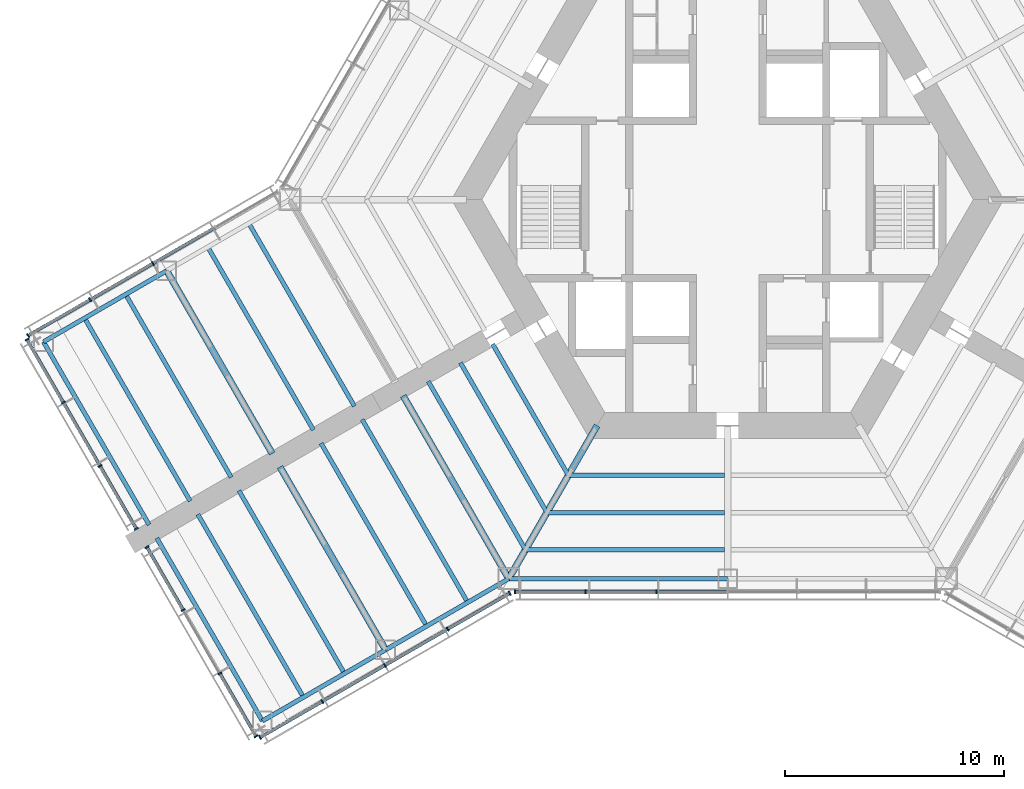
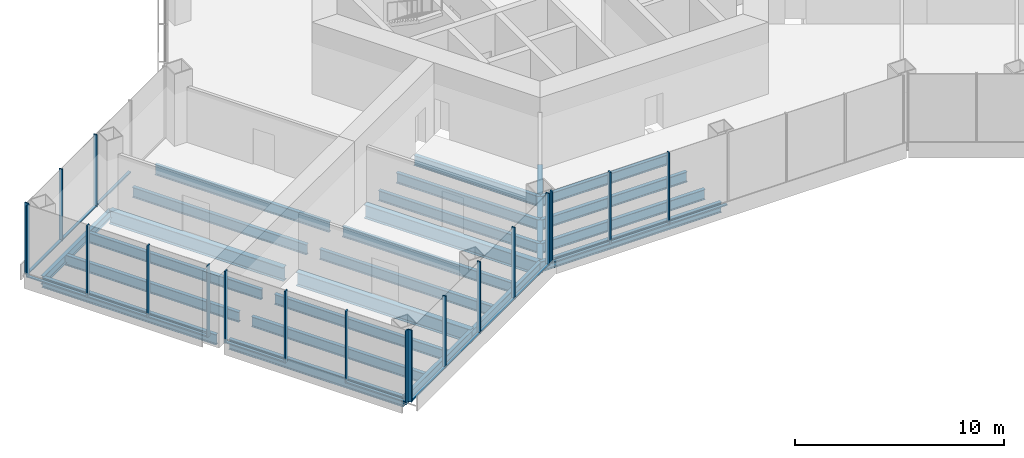
# One storey, part 2 of 15: 34 members, 24 beams, 5 elements without a shape of their own.
"""IFC4 building model written with IfcOpenShell, lengths in metres."""

import ifcopenshell
import ifcopenshell.guid

model = None  # the IFC model being written
_history = None  # IfcOwnerHistory: only IFC2X3 demands one
_inside = {}  # id of a spatial element -> (the spatial element, [elements in it])
_under = {}  # id of a project, library or spatial element -> (it, [spatial elements below it])
_declared = {}  # id of a project -> (the project, [libraries it declares])
_typed = {}  # id of a type object -> (the type object, [elements of that type])
_made_of = {}  # id of a material, layer set ... -> (it, [elements and type objects made of it])


def new_model(schema):
    """Start an empty IFC model of exactly this schema.

    Asked for "IFC4X3", IfcOpenShell would pick the latest addendum, in which some entities
    have other attributes; the version numbers below select the first issue.
    IFC2X3 requires an IfcOwnerHistory on every rooted entity: one is made here for all.
    """
    global model, _history
    if schema == "IFC4X3":
        model = ifcopenshell.file(schema_version=(4, 3, 0, 0))
    else:
        model = ifcopenshell.file(schema=schema)
    _inside.clear()
    _under.clear()
    _declared.clear()
    _typed.clear()
    _made_of.clear()
    _history = None
    if model.schema == "IFC2X3":
        org = make("IfcOrganization", Name="unknown")
        user = make(
            "IfcPersonAndOrganization",
            ThePerson=make("IfcPerson", FamilyName="unknown"),
            TheOrganization=org,
        )
        app = make(
            "IfcApplication",
            ApplicationDeveloper=org,
            Version="unknown",
            ApplicationFullName="unknown",
            ApplicationIdentifier="unknown",
        )
        _history = make(
            "IfcOwnerHistory",
            OwningUser=user,
            OwningApplication=app,
            ChangeAction="ADDED",
            CreationDate=0,
        )
    return model


def make(cls, **values):
    """One entity of the class cls with the attributes given. An attribute that is None is left unset."""
    return model.create_entity(
        cls, **{name: value for name, value in values.items() if value is not None}
    )


def rooted(cls, **values):
    """An entity with a GlobalId (a new one), such as an element, a storey or a relation."""
    return make(cls, GlobalId=ifcopenshell.guid.new(), OwnerHistory=_history, **values)


def si_unit(unit_type, name, prefix=None):
    """IfcSIUnit, for example si_unit("LENGTHUNIT", "METRE", prefix="MILLI")."""
    return make("IfcSIUnit", UnitType=unit_type, Prefix=prefix, Name=name)


def assignment(units):
    """IfcUnitAssignment: the units of a project."""
    return None if units is None else make("IfcUnitAssignment", Units=units)


def point(xyz):
    """IfcCartesianPoint."""
    return None if xyz is None else make("IfcCartesianPoint", Coordinates=xyz)


def direction(xyz):
    """IfcDirection."""
    return None if xyz is None else make("IfcDirection", DirectionRatios=xyz)


def frame(location, z_axis=None, x_axis=None):
    """IfcAxis2Placement3D, a coordinate frame: its origin and axes. An axis left out is left unset."""
    return make(
        "IfcAxis2Placement3D",
        Location=point(location),
        Axis=direction(z_axis),
        RefDirection=direction(x_axis),
    )


def frame_2d(location, x_axis=None):
    """IfcAxis2Placement2D, a coordinate frame in the plane: its origin and x axis."""
    return make(
        "IfcAxis2Placement2D", Location=point(location), RefDirection=direction(x_axis)
    )


def origin():
    """The frame at (0, 0, 0) with its axes left unset."""
    return frame((0.0, 0.0, 0.0))


def origin_2d():
    """The frame at (0, 0) in the plane with its x axis left unset."""
    return frame_2d((0.0, 0.0))


def place(relative_to, where):
    """IfcLocalPlacement: puts the frame where relative to a parent placement (None: the world)."""
    return make(
        "IfcLocalPlacement", PlacementRelTo=relative_to, RelativePlacement=where
    )


def context(
    kind, dimensions, precision=None, world=None, true_north=None, identifier=None
):
    """IfcGeometricRepresentationContext, for example the 3D "Model" context."""
    return make(
        "IfcGeometricRepresentationContext",
        ContextIdentifier=identifier,
        ContextType=kind,
        CoordinateSpaceDimension=dimensions,
        Precision=precision,
        WorldCoordinateSystem=world,
        TrueNorth=true_north,
    )


def subcontext(parent, identifier, kind, view, scale=None):
    """IfcGeometricRepresentationSubContext, for example "Body" below "Model"."""
    return make(
        "IfcGeometricRepresentationSubContext",
        ContextIdentifier=identifier,
        ContextType=kind,
        ParentContext=parent,
        TargetScale=scale,
        TargetView=view,
    )


def project(units=None, contexts=None):
    """IfcProject with its units and contexts."""
    return rooted(
        "IfcProject",
        Name="project",
        RepresentationContexts=contexts,
        UnitsInContext=assignment(units),
    )


def spatial(cls, under=None, at=None, **own):
    """A site, building, storey or space (cls), placed at a placement, below another one or the project."""
    s = rooted(cls, ObjectPlacement=at, **own)
    if under is not None:
        _under.setdefault(under.id(), (under, []))[1].append(s)
    return s


def profile(cls, at=None, kind="AREA", **sizes):
    """A parametric profile (cls). Its sizes go by their IFC names, for example OverallWidth=200.0."""
    return make(cls, ProfileType=kind, Position=at, **sizes)


def rectangle(**sizes):
    """IfcRectangleProfileDef."""
    return profile("IfcRectangleProfileDef", **sizes)


def i_section(**sizes):
    """IfcIShapeProfileDef."""
    return profile("IfcIShapeProfileDef", **sizes)


def extrude(swept, where, along, depth):
    """IfcExtrudedAreaSolid: the profile swept, set in the frame where, extruded along a direction by depth."""
    return make(
        "IfcExtrudedAreaSolid",
        SweptArea=swept,
        Position=where,
        ExtrudedDirection=direction(along),
        Depth=depth,
    )


def shape(context_of_items, identifier, shape_type, items):
    """IfcShapeRepresentation: the items that make up one representation, for example the "Body"."""
    return make(
        "IfcShapeRepresentation",
        ContextOfItems=context_of_items,
        RepresentationIdentifier=identifier,
        RepresentationType=shape_type,
        Items=items,
    )


def material(Name=None, Category=None):
    """IfcMaterial."""
    return make("IfcMaterial", Name=Name, Category=Category)


def material_profile(
    of_material, cross_section, Name=None, Category=None, Priority=None
):
    """IfcMaterialProfile: a cross section and its material."""
    return make(
        "IfcMaterialProfile",
        Name=Name,
        Material=of_material,
        Profile=cross_section,
        Priority=Priority,
        Category=Category,
    )


def profile_set(profiles, Name=None, composite=None):
    """IfcMaterialProfileSet."""
    return make(
        "IfcMaterialProfileSet",
        Name=Name,
        MaterialProfiles=profiles,
        CompositeProfile=composite,
    )


def made_of(thing, what):
    """Note that an element or type object is made of a material, layer set ...; save() writes the relation."""
    if what is not None:
        _made_of.setdefault(what.id(), (what, []))[1].append(thing)
    return thing


def type_object(cls, material=None, **own):
    """A type object (cls), such as IfcWallType, which elements share."""
    return made_of(rooted(cls, **own), material)


def element(
    cls,
    number,
    at=None,
    inside=None,
    cuts=None,
    type_object=None,
    material=None,
    context=None,
    identifier="Body",
    shape_type=None,
    held_by="IfcProductDefinitionShape",
    body=None,
    shapes=None,
    **own,
):
    """One element of the class cls, such as IfcWall. Its Tag is "e" and its number.

    at: its placement. inside: the storey or other place that contains it. cuts: it is an
    opening in that element (IfcRelVoidsElement). A single representation is given by context,
    identifier, shape_type and body (its items); several are given by shapes. held_by: the class
    of the entity that holds the representations. save() writes the other relations.
    """
    e = rooted(cls, Tag="e%d" % number, ObjectPlacement=at, **own)
    if body is not None:
        shapes = [shape(context, identifier, shape_type, body)]
    if shapes is not None:
        e.Representation = make(held_by, Representations=shapes)
    if inside is not None:
        _inside.setdefault(inside.id(), (inside, []))[1].append(e)
    if cuts is not None:
        rooted(
            "IfcRelVoidsElement", RelatingBuildingElement=cuts, RelatedOpeningElement=e
        )
    if type_object is not None:
        _typed.setdefault(type_object.id(), (type_object, []))[1].append(e)
    return made_of(e, material)


def aggregate(whole, parts):
    """IfcRelAggregates: a whole, such as a stair, and the parts it consists of."""
    return rooted("IfcRelAggregates", RelatingObject=whole, RelatedObjects=parts)


def save(model, path):
    """Write the relations noted so far, then the file.

    IfcRelAggregates (storeys below a building ...), IfcRelContainedInSpatialStructure (elements
    in a storey), IfcRelDefinesByType, IfcRelAssociatesMaterial and IfcRelDeclares: one each for
    every whole, place, type object, material and project.
    """
    for whole, parts in _under.values():
        aggregate(whole, parts)
    for where, things in _inside.values():
        rooted(
            "IfcRelContainedInSpatialStructure",
            RelatedElements=things,
            RelatingStructure=where,
        )
    for kind, things in _typed.values():
        rooted("IfcRelDefinesByType", RelatedObjects=things, RelatingType=kind)
    for what, things in _made_of.values():
        rooted("IfcRelAssociatesMaterial", RelatedObjects=things, RelatingMaterial=what)
    for by, libraries in _declared.values():
        rooted("IfcRelDeclares", RelatingContext=by, RelatedDefinitions=libraries)
    model.write(path)


model = new_model("IFC4")

# Units and contexts
model_context = context("Model", 3, precision=1e-05, world=origin(), true_north=direction((0.0, 1.0)))
body_context = subcontext(model_context, "Body", "Model", "MODEL_VIEW")
ifc_project = project(units=[si_unit("LENGTHUNIT", "METRE"), si_unit("AREAUNIT", "SQUARE_METRE"), si_unit("VOLUMEUNIT", "CUBIC_METRE"), si_unit("PLANEANGLEUNIT", "RADIAN"), si_unit("MASSUNIT", "GRAM", prefix="KILO")], contexts=[model_context])

# Site, building, storey
site_placement = place(None, origin())
site = spatial("IfcSite", under=ifc_project, at=site_placement, CompositionType="ELEMENT")
building_placement = place(site_placement, origin())
building = spatial("IfcBuilding", under=site, at=building_placement, Name="Kasaneha Research Tower", CompositionType="ELEMENT")
storey_placement = place(building_placement, frame((0.0, 0.0, 39.39990234375)))
storey = spatial("IfcBuildingStorey", under=building, at=storey_placement, Name="L10", CompositionType="ELEMENT", Elevation=39.39990234375)

# Beams
ifc_material_1 = material(Name="Steel SN490B", Category="steel")
ifc_material_profile_1 = material_profile(ifc_material_1, i_section(OverallWidth=0.199951171875, OverallDepth=0.60009765625, WebThickness=0.010986328125, FlangeThickness=0.01708984375, FilletRadius=0.012939453125, at=origin_2d()), Name="H-600x200x11x17")
ifc_profile_set_1 = profile_set([ifc_material_profile_1], Name="Steel SN490B")
beam_type_1 = type_object("IfcBeamType", Name="B1-2 secondary beam H-600x200x11x17", PredefinedType="JOIST", material=ifc_profile_set_1)
beam_1_placement = place(storey_placement, frame((-7.274658203125, -12.60009765625, -0.469970703125), z_axis=(-0.499972710878, 0.866041158593, 0.0), x_axis=(-0.866041158593, -0.499972710878, 0.0)))
element("IfcBeam", 1, at=beam_1_placement, inside=storey, type_object=beam_type_1, Name="Secondary beam RS210R1 L10", PredefinedType="JOIST", context=body_context, shape_type="SweptSolid", body=[
    extrude(i_section(OverallWidth=0.199951171875, OverallDepth=0.60009765625, WebThickness=0.010986328125, FlangeThickness=0.01708984375, FilletRadius=0.012939453125, at=origin_2d()), origin(), (0.0, 0.0, 1.0), 6.9248046875),
])
beam_2_placement = place(storey_placement, frame((-8.256103515625, -14.300048828125, -0.469970703125), z_axis=(-0.500004902938, 0.866022573054, 0.0), x_axis=(-0.866022573054, -0.500004902938, 0.0)))
element("IfcBeam", 2, at=beam_2_placement, inside=storey, type_object=beam_type_1, Name="Secondary beam RS210R2 L10", PredefinedType="JOIST", context=body_context, shape_type="SweptSolid", body=[
    extrude(i_section(OverallWidth=0.199951171875, OverallDepth=0.60009765625, WebThickness=0.010986328125, FlangeThickness=0.01708984375, FilletRadius=0.012939453125, at=origin_2d()), origin(), (0.0, 0.0, 1.0), 7.90625),
])
beam_3_placement = place(storey_placement, frame((-9.237548828125, -16.0, -0.469970703125), z_axis=(-0.500009382636, 0.866019986649, 0.0), x_axis=(-0.866019986649, -0.500009382636, 0.0)))
element("IfcBeam", 3, at=beam_3_placement, inside=storey, type_object=beam_type_1, Name="Secondary beam RS210R3 L10", PredefinedType="JOIST", context=body_context, shape_type="SweptSolid", body=[
    extrude(i_section(OverallWidth=0.199951171875, OverallDepth=0.60009765625, WebThickness=0.010986328125, FlangeThickness=0.01708984375, FilletRadius=0.012939453125, at=origin_2d()), origin(), (0.0, 0.0, 1.0), 8.887451171875),
])
beam_4_placement = place(storey_placement, frame((-7.274658203125, -12.60009765625, -0.469970703125), z_axis=(1.0, 0.0, 0.0), x_axis=(0.0, 1.0, 0.0)))
element("IfcBeam", 4, at=beam_4_placement, inside=storey, type_object=beam_type_1, Name="Secondary beam RS270L1 L10", PredefinedType="JOIST", context=body_context, shape_type="SweptSolid", body=[
    extrude(i_section(OverallWidth=0.199951171875, OverallDepth=0.60009765625, WebThickness=0.010986328125, FlangeThickness=0.01708984375, FilletRadius=0.012939453125, at=origin_2d()), origin(), (0.0, 0.0, 1.0), 7.124755859375),
])
beam_5_placement = place(storey_placement, frame((-8.256103515625, -14.300048828125, -0.469970703125), z_axis=(1.0, 0.0, 0.0), x_axis=(0.0, 1.0, 0.0)))
element("IfcBeam", 5, at=beam_5_placement, inside=storey, type_object=beam_type_1, Name="Secondary beam RS270L2 L10", PredefinedType="JOIST", context=body_context, shape_type="SweptSolid", body=[
    extrude(i_section(OverallWidth=0.199951171875, OverallDepth=0.60009765625, WebThickness=0.010986328125, FlangeThickness=0.01708984375, FilletRadius=0.012939453125, at=origin_2d()), origin(), (0.0, 0.0, 1.0), 8.106201171875),
])
beam_6_placement = place(storey_placement, frame((-9.237548828125, -16.0, -0.469970703125), z_axis=(1.0, 0.0, 0.0), x_axis=(0.0, 1.0, 0.0)))
element("IfcBeam", 6, at=beam_6_placement, inside=storey, type_object=beam_type_1, Name="Secondary beam RS270L3 L10", PredefinedType="JOIST", context=body_context, shape_type="SweptSolid", body=[
    extrude(i_section(OverallWidth=0.199951171875, OverallDepth=0.60009765625, WebThickness=0.010986328125, FlangeThickness=0.01708984375, FilletRadius=0.012939453125, at=origin_2d()), origin(), (0.0, 0.0, 1.0), 9.087646484375),
])
ifc_material_2 = material(Name="Steel SN490B", Category="steel")
ifc_material_profile_2 = material_profile(ifc_material_2, i_section(OverallWidth=0.198974609375, OverallDepth=0.595947265625, WebThickness=0.010009765625, FlangeThickness=0.014892578125, FilletRadius=0.012939453125, at=origin_2d()), Name="H-596x199x10x15")
ifc_profile_set_2 = profile_set([ifc_material_profile_2], Name="Steel SN490B")
beam_type_2 = type_object("IfcBeamType", Name="B2-2 secondary beam H-596x199x10x15", PredefinedType="JOIST", material=ifc_profile_set_2)
beam_7_placement = place(storey_placement, frame((-21.87646484375, -1.083251953125, -0.468017578125), z_axis=(0.500013717211, -0.866017484004, 0.0), x_axis=(0.866017484004, 0.500013717211, 0.0)))
element("IfcBeam", 7, at=beam_7_placement, inside=storey, type_object=beam_type_2, Name="Secondary beam WBBP1 L10", PredefinedType="JOIST", context=body_context, shape_type="SweptSolid", body=[
    extrude(i_section(OverallWidth=0.198974609375, OverallDepth=0.595947265625, WebThickness=0.010009765625, FlangeThickness=0.014892578125, FilletRadius=0.012939453125, at=origin_2d()), origin(), (0.0, 0.0, 1.0), 9.650146484375),
])
for number, where, z_axis, x_axis, name in (
    (8, (-23.752685546875, -2.166748046875, -0.468017578125), (0.499994742786, -0.866028439017, 0.0), (0.866028439017, 0.499994742786, 0.0), "Secondary beam WBBP2 L10"),
    (9, (-27.505615234375, -4.333251953125, -0.468017578125), (0.499994742786, -0.866028439017, 0.0), (0.866028439017, 0.499994742786, 0.0), "Secondary beam WBBP3 L10"),
    (10, (-29.3818359375, -5.416748046875, -0.468017578125), (0.499994742786, -0.866028439017, 0.0), (0.866028439017, 0.499994742786, 0.0), "Secondary beam WBBP4 L10"),
    (11, (-11.87646484375, -18.40380859375, -0.468017578125), (-0.499994742786, 0.866028439017, 0.0), (-0.866028439017, -0.499994742786, 0.0), "Secondary beam WBBN1 L10"),
    (12, (-13.752685546875, -19.487060546875, -0.468017578125), (-0.500024672494, 0.866011158645, 0.0), (-0.866011158645, -0.500024672494, 0.0), "Secondary beam WBBN2 L10"),
    (13, (-17.505615234375, -21.65380859375, -0.468017578125), (-0.499994742786, 0.866028439017, 0.0), (-0.866028439017, -0.499994742786, 0.0), "Secondary beam WBBN3 L10"),
    (14, (-19.3818359375, -22.737060546875, -0.468017578125), (-0.500024672494, 0.866011158645, 0.0), (-0.866011158645, -0.500024672494, 0.0), "Secondary beam WBBN4 L10"),
):
    element("IfcBeam", number, at=place(storey_placement, frame(where, z_axis=z_axis, x_axis=x_axis)), inside=storey, type_object=beam_type_2, Name=name, PredefinedType="JOIST", context=body_context, shape_type="SweptSolid", body=[
        extrude(i_section(OverallWidth=0.198974609375, OverallDepth=0.595947265625, WebThickness=0.010009765625, FlangeThickness=0.014892578125, FilletRadius=0.012939453125, at=origin_2d()), origin(), (0.0, 0.0, 1.0), 9.64990234375),
    ])

# Curtain wall, members
ifc_material_3 = material(Name="Glass and aluminium", Category="aluminium")
curtain_wall_type = type_object("IfcCurtainWallType", Name="Dry laboratory curtain wall", PredefinedType="USERDEFINED", material=ifc_material_3)
curtain_wall_1_placement = place(storey_placement, origin())
curtain_wall_1 = element("IfcCurtainWall", 15, at=curtain_wall_1_placement, inside=storey, type_object=curtain_wall_type, Name="CW-L2 L10 run 01a", ObjectType="UNITISED CURTAIN WALL", PredefinedType="USERDEFINED")
ifc_material_4 = material(Name="Aluminium 6063-T6", Category="aluminium")
ifc_material_profile_3 = material_profile(ifc_material_4, rectangle(XDim=0.06494140625, YDim=0.199951171875, at=origin_2d()), Name="CW-L2 mullion 65x200")
ifc_profile_set_3 = profile_set([ifc_material_profile_3], Name="Aluminium 6063-T6")
member_type_1 = type_object("IfcMemberType", Name="CW-L2 mullion", PredefinedType="MULLION", material=ifc_profile_set_3)
member_1_placement = place(storey_placement, frame((-21.36328125, -24.573974609375, 0.0), z_axis=(0.0, 0.0, 1.0), x_axis=(0.866025411464, 0.499999986699, 0.0)))
member_1 = element("IfcMember", 16, at=member_1_placement, type_object=member_type_1, Name="CW-L2 mullion 1", PredefinedType="MULLION", context=body_context, shape_type="SweptSolid", body=[
    extrude(rectangle(XDim=0.06494140625, YDim=0.199951171875, at=origin_2d()), origin(), (0.0, 0.0, 1.0), 4.2001953125),
])
member_2_placement = place(storey_placement, frame((-18.52490234375, -22.935302734375, 0.0), z_axis=(0.0, 0.0, 1.0), x_axis=(0.866025411464, 0.499999986699, 0.0)))
member_2 = element("IfcMember", 17, at=member_2_placement, type_object=member_type_1, Name="CW-L2 mullion 2", PredefinedType="MULLION", context=body_context, shape_type="SweptSolid", body=[
    extrude(rectangle(XDim=0.06494140625, YDim=0.199951171875, at=origin_2d()), origin(), (0.0, 0.0, 1.0), 4.2001953125),
])
member_3_placement = place(storey_placement, frame((-15.65869140625, -21.2802734375, 0.0), z_axis=(0.0, 0.0, 1.0), x_axis=(0.866025411464, 0.499999986699, 0.0)))
member_3 = element("IfcMember", 18, at=member_3_placement, type_object=member_type_1, Name="CW-L2 mullion 3", PredefinedType="MULLION", context=body_context, shape_type="SweptSolid", body=[
    extrude(rectangle(XDim=0.06494140625, YDim=0.199951171875, at=origin_2d()), origin(), (0.0, 0.0, 1.0), 4.2001953125),
])
member_4_placement = place(storey_placement, frame((-12.792236328125, -19.62548828125, 0.0), z_axis=(0.0, 0.0, 1.0), x_axis=(0.866025411464, 0.499999986699, 0.0)))
member_4 = element("IfcMember", 19, at=member_4_placement, type_object=member_type_1, Name="CW-L2 mullion 4", PredefinedType="MULLION", context=body_context, shape_type="SweptSolid", body=[
    extrude(rectangle(XDim=0.06494140625, YDim=0.199951171875, at=origin_2d()), origin(), (0.0, 0.0, 1.0), 4.2001953125),
])
member_5_placement = place(storey_placement, frame((-9.953857421875, -17.98681640625, 0.0), z_axis=(0.0, 0.0, 1.0), x_axis=(0.866025411464, 0.499999986699, 0.0)))
member_5 = element("IfcMember", 20, at=member_5_placement, type_object=member_type_1, Name="CW-L2 mullion 5", PredefinedType="MULLION", context=body_context, shape_type="SweptSolid", body=[
    extrude(rectangle(XDim=0.06494140625, YDim=0.199951171875, at=origin_2d()), origin(), (0.0, 0.0, 1.0), 4.2001953125),
])

curtain_wall_2_placement = place(storey_placement, origin())
curtain_wall_2 = element("IfcCurtainWall", 21, at=curtain_wall_2_placement, inside=storey, type_object=curtain_wall_type, Name="CW-L2 L10 run 02a", ObjectType="UNITISED CURTAIN WALL", PredefinedType="USERDEFINED")
member_6_placement = place(storey_placement, frame((-9.706787109375, -17.92041015625, 0.0), z_axis=(0.0, 0.0, 1.0), x_axis=(1.0, 0.0, 0.0)))
member_6 = element("IfcMember", 22, at=member_6_placement, type_object=member_type_1, Name="CW-L2 mullion 1", PredefinedType="MULLION", context=body_context, shape_type="SweptSolid", body=[
    extrude(rectangle(XDim=0.06494140625, YDim=0.199951171875, at=origin_2d()), origin(), (0.0, 0.0, 1.0), 4.2001953125),
])
member_7_placement = place(storey_placement, frame((-6.492919921875, -17.92041015625, 0.0), z_axis=(0.0, 0.0, 1.0), x_axis=(1.0, 0.0, 0.0)))
member_7 = element("IfcMember", 23, at=member_7_placement, type_object=member_type_1, Name="CW-L2 mullion 2", PredefinedType="MULLION", context=body_context, shape_type="SweptSolid", body=[
    extrude(rectangle(XDim=0.06494140625, YDim=0.199951171875, at=origin_2d()), origin(), (0.0, 0.0, 1.0), 4.2001953125),
])
member_8_placement = place(storey_placement, frame((-3.246337890625, -17.92041015625, 0.0), z_axis=(0.0, 0.0, 1.0), x_axis=(1.0, 0.0, 0.0)))
member_8 = element("IfcMember", 24, at=member_8_placement, type_object=member_type_1, Name="CW-L2 mullion 3", PredefinedType="MULLION", context=body_context, shape_type="SweptSolid", body=[
    extrude(rectangle(XDim=0.06494140625, YDim=0.199951171875, at=origin_2d()), origin(), (0.0, 0.0, 1.0), 4.2001953125),
])

curtain_wall_3_placement = place(storey_placement, origin())
curtain_wall_3 = element("IfcCurtainWall", 25, at=curtain_wall_3_placement, inside=storey, type_object=curtain_wall_type, Name="CW-L2 L10 run 13a", ObjectType="UNITISED CURTAIN WALL", PredefinedType="USERDEFINED")
member_9_placement = place(storey_placement, frame((-26.258544921875, -2.920654296875, 0.0), z_axis=(0.0, 0.0, 1.0), x_axis=(-0.866025411464, -0.499999986699, 0.0)))
member_9 = element("IfcMember", 26, at=member_9_placement, type_object=member_type_1, Name="CW-L2 mullion 3", PredefinedType="MULLION", context=body_context, shape_type="SweptSolid", body=[
    extrude(rectangle(XDim=0.06494140625, YDim=0.199951171875, at=origin_2d()), origin(), (0.0, 0.0, 1.0), 4.2001953125),
])
member_10_placement = place(storey_placement, frame((-29.125, -4.575439453125, 0.0), z_axis=(0.0, 0.0, 1.0), x_axis=(-0.866025411464, -0.499999986699, 0.0)))
member_10 = element("IfcMember", 27, at=member_10_placement, type_object=member_type_1, Name="CW-L2 mullion 4", PredefinedType="MULLION", context=body_context, shape_type="SweptSolid", body=[
    extrude(rectangle(XDim=0.06494140625, YDim=0.199951171875, at=origin_2d()), origin(), (0.0, 0.0, 1.0), 4.2001953125),
])
member_11_placement = place(storey_placement, frame((-31.963134765625, -6.214111328125, 0.0), z_axis=(0.0, 0.0, 1.0), x_axis=(-0.866025411464, -0.499999986699, 0.0)))
member_11 = element("IfcMember", 28, at=member_11_placement, type_object=member_type_1, Name="CW-L2 mullion 5", PredefinedType="MULLION", context=body_context, shape_type="SweptSolid", body=[
    extrude(rectangle(XDim=0.06494140625, YDim=0.199951171875, at=origin_2d()), origin(), (0.0, 0.0, 1.0), 4.2001953125),
])

curtain_wall_4_placement = place(storey_placement, origin())
curtain_wall_4 = element("IfcCurtainWall", 29, at=curtain_wall_4_placement, inside=storey, type_object=curtain_wall_type, Name="CW-L2 L10 run 14a", ObjectType="UNITISED CURTAIN WALL", PredefinedType="USERDEFINED")
member_12_placement = place(storey_placement, frame((-32.01171875, -6.39501953125, 0.0), z_axis=(0.0, 0.0, 1.0), x_axis=(0.500000011442, -0.866025397178, 0.0)))
member_12 = element("IfcMember", 30, at=member_12_placement, type_object=member_type_1, Name="CW-L2 mullion 1", PredefinedType="MULLION", context=body_context, shape_type="SweptSolid", body=[
    extrude(rectangle(XDim=0.06494140625, YDim=0.199951171875, at=origin_2d()), origin(), (0.0, 0.0, 1.0), 4.2001953125),
])
member_13_placement = place(storey_placement, frame((-30.35302734375, -9.26806640625, 0.0), z_axis=(0.0, 0.0, 1.0), x_axis=(0.500000011442, -0.866025397178, 0.0)))
member_13 = element("IfcMember", 31, at=member_13_placement, type_object=member_type_1, Name="CW-L2 mullion 2", PredefinedType="MULLION", context=body_context, shape_type="SweptSolid", body=[
    extrude(rectangle(XDim=0.06494140625, YDim=0.199951171875, at=origin_2d()), origin(), (0.0, 0.0, 1.0), 4.2001953125),
])
member_14_placement = place(storey_placement, frame((-28.677978515625, -12.16943359375, 0.0), z_axis=(0.0, 0.0, 1.0), x_axis=(0.500000011442, -0.866025397178, 0.0)))
member_14 = element("IfcMember", 32, at=member_14_placement, type_object=member_type_1, Name="CW-L2 mullion 3", PredefinedType="MULLION", context=body_context, shape_type="SweptSolid", body=[
    extrude(rectangle(XDim=0.06494140625, YDim=0.199951171875, at=origin_2d()), origin(), (0.0, 0.0, 1.0), 4.2001953125),
])
member_15_placement = place(storey_placement, frame((-27.019287109375, -15.04248046875, 0.0), z_axis=(0.0, 0.0, 1.0), x_axis=(0.500000011442, -0.866025397178, 0.0)))
member_15 = element("IfcMember", 33, at=member_15_placement, type_object=member_type_1, Name="CW-L2 mullion 4", PredefinedType="MULLION", context=body_context, shape_type="SweptSolid", body=[
    extrude(rectangle(XDim=0.06494140625, YDim=0.199951171875, at=origin_2d()), origin(), (0.0, 0.0, 1.0), 4.2001953125),
])

curtain_wall_5_placement = place(storey_placement, origin())
curtain_wall_5 = element("IfcCurtainWall", 34, at=curtain_wall_5_placement, inside=storey, type_object=curtain_wall_type, Name="CW-L2 L10 run 15a", ObjectType="UNITISED CURTAIN WALL", PredefinedType="USERDEFINED")
member_16_placement = place(storey_placement, frame((-26.53662109375, -15.878173828125, 0.0), z_axis=(0.0, 0.0, 1.0), x_axis=(0.500000011442, -0.866025397178, 0.0)))
member_16 = element("IfcMember", 35, at=member_16_placement, type_object=member_type_1, Name="CW-L2 mullion 1", PredefinedType="MULLION", context=body_context, shape_type="SweptSolid", body=[
    extrude(rectangle(XDim=0.06494140625, YDim=0.199951171875, at=origin_2d()), origin(), (0.0, 0.0, 1.0), 4.2001953125),
])
member_17_placement = place(storey_placement, frame((-24.8779296875, -18.751220703125, 0.0), z_axis=(0.0, 0.0, 1.0), x_axis=(0.500000011442, -0.866025397178, 0.0)))
member_17 = element("IfcMember", 36, at=member_17_placement, type_object=member_type_1, Name="CW-L2 mullion 2", PredefinedType="MULLION", context=body_context, shape_type="SweptSolid", body=[
    extrude(rectangle(XDim=0.06494140625, YDim=0.199951171875, at=origin_2d()), origin(), (0.0, 0.0, 1.0), 4.2001953125),
])
member_18_placement = place(storey_placement, frame((-23.202880859375, -21.65234375, 0.0), z_axis=(0.0, 0.0, 1.0), x_axis=(0.500000011442, -0.866025397178, 0.0)))
member_18 = element("IfcMember", 37, at=member_18_placement, type_object=member_type_1, Name="CW-L2 mullion 3", PredefinedType="MULLION", context=body_context, shape_type="SweptSolid", body=[
    extrude(rectangle(XDim=0.06494140625, YDim=0.199951171875, at=origin_2d()), origin(), (0.0, 0.0, 1.0), 4.2001953125),
])
member_19_placement = place(storey_placement, frame((-21.544189453125, -24.525390625, 0.0), z_axis=(0.0, 0.0, 1.0), x_axis=(0.500000011442, -0.866025397178, 0.0)))
member_19 = element("IfcMember", 38, at=member_19_placement, type_object=member_type_1, Name="CW-L2 mullion 4", PredefinedType="MULLION", context=body_context, shape_type="SweptSolid", body=[
    extrude(rectangle(XDim=0.06494140625, YDim=0.199951171875, at=origin_2d()), origin(), (0.0, 0.0, 1.0), 4.2001953125),
])

# Member
ifc_material_5 = material(Name="Aluminium 6063-T6", Category="aluminium")
ifc_material_profile_4 = material_profile(ifc_material_5, rectangle(XDim=0.14990234375, YDim=0.06494140625, at=origin_2d()), Name="CW-L2 transom 150x65")
ifc_profile_set_4 = profile_set([ifc_material_profile_4], Name="Aluminium 6063-T6")
member_type_2 = type_object("IfcMemberType", Name="CW-L2 transom", PredefinedType="USERDEFINED", material=ifc_profile_set_4)
member_20_placement = place(storey_placement, frame((-21.3349609375, -24.5576171875, 0.03271484375), z_axis=(0.86600331843, 0.500038251005, 0.0), x_axis=(-0.500038251005, 0.86600331843, 0.0)))
member_20 = element("IfcMember", 39, at=member_20_placement, type_object=member_type_2, Name="CW-L2 transom 1", ObjectType="TRANSOM", PredefinedType="USERDEFINED", context=body_context, shape_type="SweptSolid", body=[
    extrude(rectangle(XDim=0.14990234375, YDim=0.06494140625, at=origin_2d()), origin(), (0.0, 0.0, 1.0), 3.212158203125),
])

member_21_placement = place(storey_placement, frame((-18.496826171875, -22.9189453125, 0.03271484375), z_axis=(0.866035229914, 0.499982980259, 0.0), x_axis=(-0.499982980259, 0.866035229914, 0.0)))
member_21 = element("IfcMember", 40, at=member_21_placement, type_object=member_type_2, Name="CW-L2 transom 2", ObjectType="TRANSOM", PredefinedType="USERDEFINED", context=body_context, shape_type="SweptSolid", body=[
    extrude(rectangle(XDim=0.14990234375, YDim=0.06494140625, at=origin_2d()), origin(), (0.0, 0.0, 1.0), 3.24462890625),
])

member_22_placement = place(storey_placement, frame((-15.63037109375, -21.26416015625, 0.03271484375), z_axis=(0.866002649306, 0.500039409842, 0.0), x_axis=(-0.500039409842, 0.866002649306, 0.0)))
member_22 = element("IfcMember", 41, at=member_22_placement, type_object=member_type_2, Name="CW-L2 transom 3", ObjectType="TRANSOM", PredefinedType="USERDEFINED", context=body_context, shape_type="SweptSolid", body=[
    extrude(rectangle(XDim=0.14990234375, YDim=0.06494140625, at=origin_2d()), origin(), (0.0, 0.0, 1.0), 3.244873046875),
])

member_23_placement = place(storey_placement, frame((-12.76416015625, -19.609130859375, 0.03271484375), z_axis=(0.866022320763, 0.500005339912, 0.0), x_axis=(-0.500005339912, 0.866022320763, 0.0)))
member_23 = element("IfcMember", 42, at=member_23_placement, type_object=member_type_2, Name="CW-L2 transom 4", ObjectType="TRANSOM", PredefinedType="USERDEFINED", context=body_context, shape_type="SweptSolid", body=[
    extrude(rectangle(XDim=0.14990234375, YDim=0.06494140625, at=origin_2d()), origin(), (0.0, 0.0, 1.0), 3.21240234375),
])

aggregate(curtain_wall_1, [member_1, member_2, member_3, member_4, member_5, member_20, member_21, member_22, member_23])

member_24_placement = place(storey_placement, frame((-9.67431640625, -17.92041015625, 0.03271484375), z_axis=(1.0, 0.0, 0.0), x_axis=(0.0, 1.0, 0.0)))
member_24 = element("IfcMember", 43, at=member_24_placement, type_object=member_type_2, Name="CW-L2 transom 1", ObjectType="TRANSOM", PredefinedType="USERDEFINED", context=body_context, shape_type="SweptSolid", body=[
    extrude(rectangle(XDim=0.14990234375, YDim=0.06494140625, at=origin_2d()), origin(), (0.0, 0.0, 1.0), 3.14892578125),
])

member_25_placement = place(storey_placement, frame((-6.460205078125, -17.92041015625, 0.03271484375), z_axis=(1.0, 0.0, 0.0), x_axis=(0.0, 1.0, 0.0)))
member_25 = element("IfcMember", 44, at=member_25_placement, type_object=member_type_2, Name="CW-L2 transom 2", ObjectType="TRANSOM", PredefinedType="USERDEFINED", context=body_context, shape_type="SweptSolid", body=[
    extrude(rectangle(XDim=0.14990234375, YDim=0.06494140625, at=origin_2d()), origin(), (0.0, 0.0, 1.0), 3.181396484375),
])

member_26_placement = place(storey_placement, frame((-3.2138671875, -17.92041015625, 0.03271484375), z_axis=(1.0, 0.0, 0.0), x_axis=(0.0, 1.0, 0.0)))
member_26 = element("IfcMember", 45, at=member_26_placement, type_object=member_type_2, Name="CW-L2 transom 3", ObjectType="TRANSOM", PredefinedType="USERDEFINED", context=body_context, shape_type="SweptSolid", body=[
    extrude(rectangle(XDim=0.14990234375, YDim=0.06494140625, at=origin_2d()), origin(), (0.0, 0.0, 1.0), 3.181396484375),
])

aggregate(curtain_wall_2, [member_6, member_7, member_8, member_24, member_25, member_26])

member_27_placement = place(storey_placement, frame((-23.42041015625, -1.281982421875, 0.03271484375), z_axis=(-0.866035229914, -0.499982980259, 0.0), x_axis=(0.499982980259, -0.866035229914, 0.0)))
member_27 = element("IfcMember", 46, at=member_27_placement, type_object=member_type_2, Name="CW-L2 transom 2", ObjectType="TRANSOM", PredefinedType="USERDEFINED", context=body_context, shape_type="SweptSolid", body=[
    extrude(rectangle(XDim=0.14990234375, YDim=0.06494140625, at=origin_2d()), origin(), (0.0, 0.0, 1.0), 3.24462890625),
])

member_28_placement = place(storey_placement, frame((-26.28662109375, -2.936767578125, 0.03271484375), z_axis=(-0.866021460221, -0.500006830391, 0.0), x_axis=(0.500006830391, -0.866021460221, 0.0)))
member_28 = element("IfcMember", 47, at=member_28_placement, type_object=member_type_2, Name="CW-L2 transom 3", ObjectType="TRANSOM", PredefinedType="USERDEFINED", context=body_context, shape_type="SweptSolid", body=[
    extrude(rectangle(XDim=0.14990234375, YDim=0.06494140625, at=origin_2d()), origin(), (0.0, 0.0, 1.0), 3.2451171875),
])

member_29_placement = place(storey_placement, frame((-29.153076171875, -4.591796875, 0.03271484375), z_axis=(-0.866022320763, -0.500005339912, 0.0), x_axis=(0.500005339912, -0.866022320763, 0.0)))
member_29 = element("IfcMember", 48, at=member_29_placement, type_object=member_type_2, Name="CW-L2 transom 4", ObjectType="TRANSOM", PredefinedType="USERDEFINED", context=body_context, shape_type="SweptSolid", body=[
    extrude(rectangle(XDim=0.14990234375, YDim=0.06494140625, at=origin_2d()), origin(), (0.0, 0.0, 1.0), 3.21240234375),
])

aggregate(curtain_wall_3, [member_9, member_10, member_11, member_27, member_28, member_29])

member_30_placement = place(storey_placement, frame((-31.995361328125, -6.42333984375, 0.03271484375), z_axis=(0.500006189695, -0.866021830133, 0.0), x_axis=(0.866021830133, 0.500006189695, 0.0)))
member_30 = element("IfcMember", 49, at=member_30_placement, type_object=member_type_2, Name="CW-L2 transom 1", ObjectType="TRANSOM", PredefinedType="USERDEFINED", context=body_context, shape_type="SweptSolid", body=[
    extrude(rectangle(XDim=0.14990234375, YDim=0.06494140625, at=origin_2d()), origin(), (0.0, 0.0, 1.0), 3.25244140625),
])

member_31_placement = place(storey_placement, frame((-30.336669921875, -9.29638671875, 0.03271484375), z_axis=(0.500039835994, -0.866002403241, 0.0), x_axis=(0.866002403241, 0.500039835994, 0.0)))
member_31 = element("IfcMember", 50, at=member_31_placement, type_object=member_type_2, Name="CW-L2 transom 2", ObjectType="TRANSOM", PredefinedType="USERDEFINED", context=body_context, shape_type="SweptSolid", body=[
    extrude(rectangle(XDim=0.14990234375, YDim=0.06494140625, at=origin_2d()), origin(), (0.0, 0.0, 1.0), 3.284912109375),
])

member_32_placement = place(storey_placement, frame((-28.66162109375, -12.197509765625, 0.03271484375), z_axis=(0.500006189695, -0.866021830133, 0.0), x_axis=(0.866021830133, 0.500006189695, 0.0)))
member_32 = element("IfcMember", 51, at=member_32_placement, type_object=member_type_2, Name="CW-L2 transom 3", ObjectType="TRANSOM", PredefinedType="USERDEFINED", context=body_context, shape_type="SweptSolid", body=[
    extrude(rectangle(XDim=0.14990234375, YDim=0.06494140625, at=origin_2d()), origin(), (0.0, 0.0, 1.0), 3.25244140625),
])

aggregate(curtain_wall_4, [member_12, member_13, member_14, member_15, member_30, member_31, member_32])

member_33_placement = place(storey_placement, frame((-26.5205078125, -15.90625, 0.03271484375), z_axis=(0.500006189695, -0.866021830133, 0.0), x_axis=(0.866021830133, 0.500006189695, 0.0)))
member_33 = element("IfcMember", 52, at=member_33_placement, type_object=member_type_2, Name="CW-L2 transom 1", ObjectType="TRANSOM", PredefinedType="USERDEFINED", context=body_context, shape_type="SweptSolid", body=[
    extrude(rectangle(XDim=0.14990234375, YDim=0.06494140625, at=origin_2d()), origin(), (0.0, 0.0, 1.0), 3.25244140625),
])

member_34_placement = place(storey_placement, frame((-23.186767578125, -21.680419921875, 0.03271484375), z_axis=(0.499973687205, -0.866040594951, 0.0), x_axis=(0.866040594951, 0.499973687205, 0.0)))
member_34 = element("IfcMember", 53, at=member_34_placement, type_object=member_type_2, Name="CW-L2 transom 3", ObjectType="TRANSOM", PredefinedType="USERDEFINED", context=body_context, shape_type="SweptSolid", body=[
    extrude(rectangle(XDim=0.14990234375, YDim=0.06494140625, at=origin_2d()), origin(), (0.0, 0.0, 1.0), 3.252685546875),
])

aggregate(curtain_wall_5, [member_16, member_17, member_18, member_19, member_33, member_34])

# Beams
ifc_material_6 = material(Name="Steel SN490B", Category="steel")
ifc_material_profile_5 = material_profile(ifc_material_6, i_section(OverallWidth=0.300048828125, OverallDepth=0.699951171875, WebThickness=0.012939453125, FlangeThickness=0.02392578125, FilletRadius=0.01806640625, at=origin_2d()), Name="H-700x300x13x24")
ifc_profile_set_5 = profile_set([ifc_material_profile_5], Name="Steel SN490B")
beam_type_3 = type_object("IfcBeamType", Name="G1-2 radial girder H-700x300x13x24", PredefinedType="BEAM", material=ifc_profile_set_5)
beam_8_placement = place(storey_placement, frame((-5.961181640625, -10.324951171875, -0.52001953125), z_axis=(-0.49999105496, -0.866030568144, 0.0), x_axis=(0.866030568144, -0.49999105496, 0.0)))
element("IfcBeam", 54, at=beam_8_placement, inside=storey, type_object=beam_type_3, Name="Radial girder RV240 L10", PredefinedType="BEAM", context=body_context, shape_type="SweptSolid", body=[
    extrude(i_section(OverallWidth=0.300048828125, OverallDepth=0.699951171875, WebThickness=0.012939453125, FlangeThickness=0.02392578125, FilletRadius=0.01806640625, at=origin_2d()), origin(), (0.0, 0.0, 1.0), 8.077880859375),
])
ifc_material_7 = material(Name="Steel SN490B", Category="steel")
ifc_material_profile_6 = material_profile(ifc_material_7, i_section(OverallWidth=0.300048828125, OverallDepth=0.7919921875, WebThickness=0.013916015625, FlangeThickness=0.02197265625, FilletRadius=0.01806640625, at=origin_2d()), Name="H-792x300x14x22")
ifc_profile_set_6 = profile_set([ifc_material_profile_6], Name="Steel SN490B")
beam_type_4 = type_object("IfcBeamType", Name="G3-2 plate edge girder H-792x300x14x22", PredefinedType="BEAM", material=ifc_profile_set_6)
beam_9_placement = place(storey_placement, frame((-10.0, -17.320556640625, -0.56591796875), z_axis=(-0.499994742786, 0.866028439017, 0.0), x_axis=(-0.866028439017, -0.499994742786, 0.0)))
element("IfcBeam", 55, at=beam_9_placement, inside=storey, type_object=beam_type_4, Name="Plate edge girder PEBN L10", PredefinedType="BEAM", context=body_context, shape_type="SweptSolid", body=[
    extrude(i_section(OverallWidth=0.300048828125, OverallDepth=0.7919921875, WebThickness=0.013916015625, FlangeThickness=0.02197265625, FilletRadius=0.01806640625, at=origin_2d()), origin(), (0.0, 0.0, 1.0), 9.64990234375),
])
ifc_material_8 = material(Name="Steel SN490B", Category="steel")
ifc_material_profile_7 = material_profile(ifc_material_8, i_section(OverallWidth=0.300048828125, OverallDepth=0.800048828125, WebThickness=0.013916015625, FlangeThickness=0.02587890625, FilletRadius=0.01806640625, at=origin_2d()), Name="H-800x300x14x26")
ifc_profile_set_7 = profile_set([ifc_material_profile_7], Name="Steel SN490B")
beam_type_5 = type_object("IfcBeamType", Name="G4-2 wing girder H-800x300x14x26", PredefinedType="BEAM", material=ifc_profile_set_7)
for number, where, z_axis, x_axis, name in (
    (56, (-25.629150390625, -3.25, -0.56982421875), (0.499994742786, -0.866028439017, 0.0), (0.866028439017, 0.499994742786, 0.0), "Wing girder WGBP L10"),
    (57, (-15.629150390625, -20.570556640625, -0.56982421875), (-0.499994742786, 0.866028439017, 0.0), (-0.866028439017, -0.499994742786, 0.0), "Wing girder WGBN L10"),
):
    element("IfcBeam", number, at=place(storey_placement, frame(where, z_axis=z_axis, x_axis=x_axis)), inside=storey, type_object=beam_type_5, Name=name, PredefinedType="BEAM", context=body_context, shape_type="SweptSolid", body=[
        extrude(i_section(OverallWidth=0.300048828125, OverallDepth=0.800048828125, WebThickness=0.013916015625, FlangeThickness=0.02587890625, FilletRadius=0.01806640625, at=origin_2d()), origin(), (0.0, 0.0, 1.0), 9.64990234375),
    ])
ifc_material_9 = material(Name="Steel SN490B", Category="steel")
ifc_material_profile_8 = material_profile(ifc_material_9, i_section(OverallWidth=0.199951171875, OverallDepth=0.60009765625, WebThickness=0.010986328125, FlangeThickness=0.01708984375, FilletRadius=0.012939453125, at=origin_2d()), Name="H-600x200x11x17")
ifc_profile_set_8 = profile_set([ifc_material_profile_8], Name="Steel SN490B")
beam_type_6 = type_object("IfcBeamType", Name="SB1-2 spandrel beam H-600x200x11x17", PredefinedType="SPANDREL", material=ifc_profile_set_8)
beam_10_placement = place(storey_placement, frame((-10.0, -17.320556640625, -0.469970703125), z_axis=(1.0, 0.0, 0.0), x_axis=(0.0, 1.0, 0.0)))
element("IfcBeam", 58, at=beam_10_placement, inside=storey, type_object=beam_type_6, Name="Spandrel beam SR270L L10", PredefinedType="SPANDREL", context=body_context, shape_type="SweptSolid", body=[
    extrude(i_section(OverallWidth=0.199951171875, OverallDepth=0.60009765625, WebThickness=0.010986328125, FlangeThickness=0.01708984375, FilletRadius=0.012939453125, at=origin_2d()), origin(), (0.0, 0.0, 1.0), 10.0),
])
ifc_material_10 = material(Name="Steel SN490B", Category="steel")
ifc_material_profile_9 = material_profile(ifc_material_10, i_section(OverallWidth=0.199951171875, OverallDepth=0.5, WebThickness=0.010009765625, FlangeThickness=0.01611328125, FilletRadius=0.012939453125, at=origin_2d()), Name="H-500x200x10x16")
ifc_profile_set_9 = profile_set([ifc_material_profile_9], Name="Steel SN490B")
beam_type_7 = type_object("IfcBeamType", Name="SB2-2 spandrel beam H-500x200x10x16", PredefinedType="SPANDREL", material=ifc_profile_set_9)
for number, where, z_axis, x_axis, name in (
    (59, (-25.629150390625, -3.25, -0.419921875), (-0.866024837091, -0.50000098154, 0.0), (0.50000098154, -0.866024837091, 0.0), "Spandrel beam WSBP2 L10"),
    (60, (-10.0, -17.320556640625, -0.419921875), (-0.866024837091, -0.50000098154, 0.0), (0.50000098154, -0.866024837091, 0.0), "Spandrel beam WSBN1 L10"),
    (61, (-15.629150390625, -20.570556640625, -0.419921875), (-0.866024837091, -0.50000098154, 0.0), (0.50000098154, -0.866024837091, 0.0), "Spandrel beam WSBN2 L10"),
):
    element("IfcBeam", number, at=place(storey_placement, frame(where, z_axis=z_axis, x_axis=x_axis)), inside=storey, type_object=beam_type_7, Name=name, PredefinedType="SPANDREL", context=body_context, shape_type="SweptSolid", body=[
        extrude(i_section(OverallWidth=0.199951171875, OverallDepth=0.5, WebThickness=0.010009765625, FlangeThickness=0.01611328125, FilletRadius=0.012939453125, at=origin_2d()), origin(), (0.0, 0.0, 1.0), 6.5),
    ])
ifc_material_11 = material(Name="Steel SN490B", Category="steel")
ifc_material_profile_10 = material_profile(ifc_material_11, i_section(OverallWidth=0.199951171875, OverallDepth=0.60009765625, WebThickness=0.010986328125, FlangeThickness=0.01708984375, FilletRadius=0.012939453125, at=origin_2d()), Name="H-600x200x11x17")
ifc_profile_set_10 = profile_set([ifc_material_profile_10], Name="Steel SN490B")
beam_type_8 = type_object("IfcBeamType", Name="SB3-2 spandrel beam H-600x200x11x17", PredefinedType="SPANDREL", material=ifc_profile_set_10)
for number, where, z_axis, x_axis, name in (
    (62, (-31.25830078125, -6.5, -0.469970703125), (0.499994742786, -0.866028439017, 0.0), (0.866028439017, 0.499994742786, 0.0), "Spandrel beam WTBP L10"),
    (63, (-21.25830078125, -23.820556640625, -0.469970703125), (-0.499994742786, 0.866028439017, 0.0), (-0.866028439017, -0.499994742786, 0.0), "Spandrel beam WTBN L10"),
):
    element("IfcBeam", number, at=place(storey_placement, frame(where, z_axis=z_axis, x_axis=x_axis)), inside=storey, type_object=beam_type_8, Name=name, PredefinedType="SPANDREL", context=body_context, shape_type="SweptSolid", body=[
        extrude(i_section(OverallWidth=0.199951171875, OverallDepth=0.60009765625, WebThickness=0.010986328125, FlangeThickness=0.01708984375, FilletRadius=0.012939453125, at=origin_2d()), origin(), (0.0, 0.0, 1.0), 9.64990234375),
    ])

save(model, "model.ifc")
